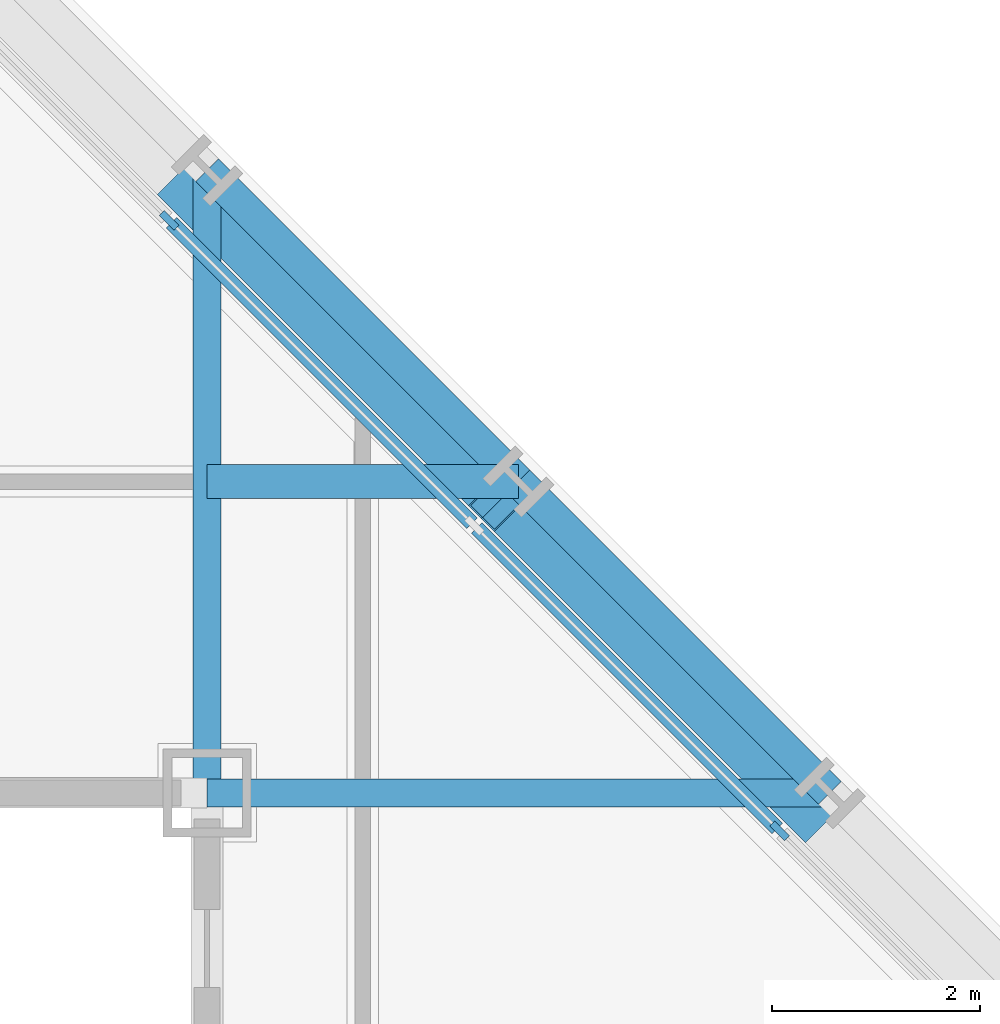
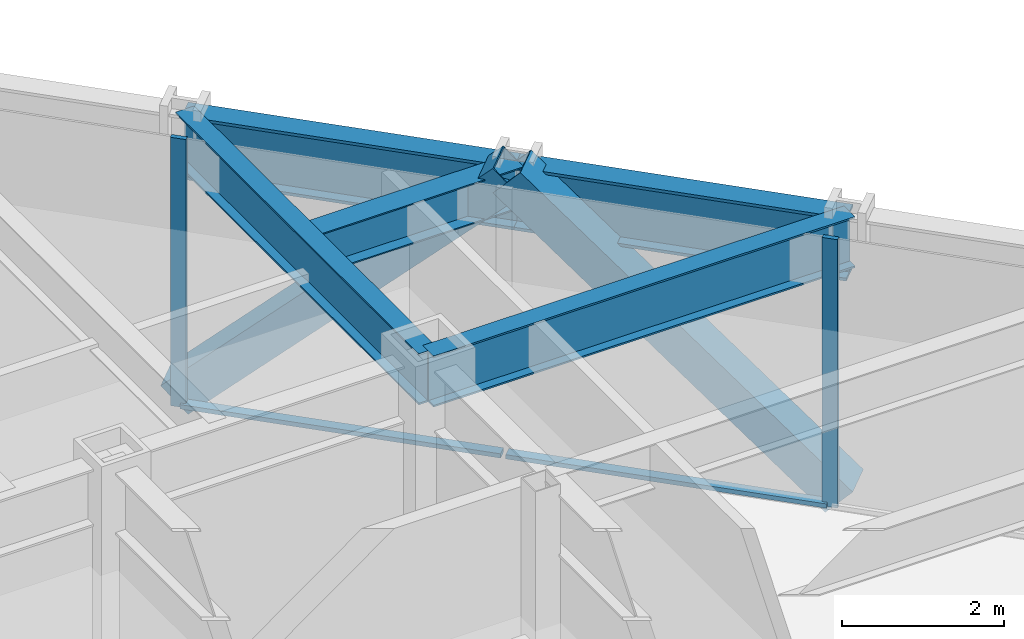
# One storey, part 8 of 16: 6 members, 5 beams, 1 element without a shape of its own.
"""IFC4 building model written with IfcOpenShell, lengths in metres."""

from ifc_helpers import new_model, si_unit, direction, frame, origin, origin_2d, place, context, subcontext, project, spatial, rectangle, hollow_rectangle, i_section, extrude, material, layer, layer_set, material_profile, profile_set, type_object, element, aggregate, save


model = new_model("IFC4")

# Units and contexts
model_context = context("Model", 3, precision=1e-05, world=origin(), true_north=direction((0.0, 1.0)))
body_context = subcontext(model_context, "Body", "Model", "MODEL_VIEW")
ifc_project = project(units=[si_unit("LENGTHUNIT", "METRE"), si_unit("AREAUNIT", "SQUARE_METRE"), si_unit("VOLUMEUNIT", "CUBIC_METRE"), si_unit("PLANEANGLEUNIT", "RADIAN"), si_unit("MASSUNIT", "GRAM", prefix="KILO")], contexts=[model_context])

# Site, building, storey
site_placement = place(None, origin())
site = spatial("IfcSite", under=ifc_project, at=site_placement, CompositionType="ELEMENT")
building_placement = place(site_placement, origin())
building = spatial("IfcBuilding", under=site, at=building_placement, Name="Chuquiago Exchange Tower", CompositionType="ELEMENT")
storey_placement = place(building_placement, frame((0.0, 0.0, 115.199951171875)))
storey = spatial("IfcBuildingStorey", under=building, at=storey_placement, Name="L24", CompositionType="ELEMENT", Elevation=115.199951171875)

# Beam
ifc_material_1 = material(Name="Steel ASTM A992", Category="steel")
ifc_material_profile_1 = material_profile(ifc_material_1, i_section(OverallWidth=0.3251953125, OverallDepth=0.612060546875, WebThickness=0.0126953125, FlangeThickness=0.01904296875, at=origin_2d()), Name="W24X104")
ifc_profile_set_1 = profile_set([ifc_material_profile_1], Name="Steel ASTM A992")
beam_type_1 = type_object("IfcBeamType", Name="B2 W24X104", PredefinedType="BEAM", material=ifc_profile_set_1)
beam_placement = place(storey_placement, frame((33.0, 36.0, 3.73388671875), z_axis=(1.0, 0.0, 0.0), x_axis=(0.0, 1.0, 0.0)))
element("IfcBeam", 1, at=beam_placement, inside=storey, type_object=beam_type_1, Name="FB-L25-corner-33_36-36_36-0", PredefinedType="BEAM", context=body_context, shape_type="SweptSolid", body=[
    extrude(i_section(OverallWidth=0.3251953125, OverallDepth=0.612060546875, WebThickness=0.0126953125, FlangeThickness=0.01904296875, at=origin_2d()), origin(), (0.0, 0.0, 1.0), 3.0),
])

# Curtain wall, members
ifc_material_2 = material(Name="Aluminium curtain wall system", Category="aluminium")
ifc_layer = layer(ifc_material_2, 0.199951171875)
ifc_layer_set = layer_set([ifc_layer], Name="CW3 facet curtain wall")
curtain_wall_type = type_object("IfcCurtainWallType", Name="CW3 facet curtain wall", PredefinedType="NOTDEFINED", material=ifc_layer_set)
curtain_wall_placement = place(storey_placement, origin())
curtain_wall = element("IfcCurtainWall", 2, at=curtain_wall_placement, inside=storey, type_object=curtain_wall_type, Name="CW3 curtain wall L24", PredefinedType="NOTDEFINED")
ifc_material_3 = material(Name="Aluminium mullion, pale anodised", Category="aluminium")
ifc_material_profile_2 = material_profile(ifc_material_3, rectangle(XDim=0.06494140625, YDim=0.199951171875, at=origin_2d()), Name="AL 65x200")
ifc_profile_set_2 = profile_set([ifc_material_profile_2], Name="Aluminium mullion, pale anodised")
member_type_1 = type_object("IfcMemberType", Name="CW3-M mullion 65x200", PredefinedType="MULLION", material=ifc_profile_set_2)
member_1_placement = place(storey_placement, frame((38.51708984375, 32.63427734375, 0.0), z_axis=(0.0, 0.0, 1.0), x_axis=(-0.707106781187, -0.707106781187, 0.0)))
member_1 = element("IfcMember", 3, at=member_1_placement, type_object=member_type_1, Name="CW3 mullion 3", PredefinedType="MULLION", context=body_context, shape_type="SweptSolid", body=[
    extrude(rectangle(XDim=0.06494140625, YDim=0.199951171875, at=origin_2d()), origin(), (0.0, 0.0, 1.0), 4.0400390625),
])
member_2_placement = place(storey_placement, frame((32.63427734375, 38.51708984375, 0.0), z_axis=(0.0, 0.0, 1.0), x_axis=(-0.707106781187, -0.707106781187, 0.0)))
member_2 = element("IfcMember", 4, at=member_2_placement, type_object=member_type_1, Name="CW3 mullion 5", PredefinedType="MULLION", context=body_context, shape_type="SweptSolid", body=[
    extrude(rectangle(XDim=0.06494140625, YDim=0.199951171875, at=origin_2d()), origin(), (0.0, 0.0, 1.0), 4.0400390625),
])
ifc_material_4 = material(Name="Aluminium transom, pale anodised", Category="aluminium")
ifc_material_profile_3 = material_profile(ifc_material_4, rectangle(XDim=0.139892578125, YDim=0.06494140625, at=origin_2d()), Name="AL 140x65")
ifc_profile_set_3 = profile_set([ifc_material_profile_3], Name="Aluminium transom, pale anodised")
member_type_2 = type_object("IfcMemberType", Name="CW3-T transom 65x140", PredefinedType="MULLION", material=ifc_profile_set_3)
member_3_placement = place(storey_placement, frame((38.494140625, 32.6572265625, 0.032470703125), z_axis=(-0.707106781187, 0.707106781187, 0.0), x_axis=(-0.707106781187, -0.707106781187, 0.0)))
member_3 = element("IfcMember", 5, at=member_3_placement, type_object=member_type_2, Name="CW3 transom 3.1", PredefinedType="MULLION", context=body_context, shape_type="SweptSolid", body=[
    extrude(rectangle(XDim=0.139892578125, YDim=0.06494140625, at=origin_2d()), origin(), (0.0, 0.0, 1.0), 4.094970703125),
])
member_4_placement = place(storey_placement, frame((35.552734375, 35.5986328125, 0.032470703125), z_axis=(-0.707106781187, 0.707106781187, 0.0), x_axis=(-0.707106781187, -0.707106781187, 0.0)))
member_4 = element("IfcMember", 6, at=member_4_placement, type_object=member_type_2, Name="CW3 transom 4.1", PredefinedType="MULLION", context=body_context, shape_type="SweptSolid", body=[
    extrude(rectangle(XDim=0.139892578125, YDim=0.06494140625, at=origin_2d()), origin(), (0.0, 0.0, 1.0), 4.094970703125),
])
aggregate(curtain_wall, [member_1, member_2, member_3, member_4])

# Beams
ifc_material_5 = material(Name="Steel ASTM A992", Category="steel")
ifc_material_profile_4 = material_profile(ifc_material_5, i_section(OverallWidth=0.2666015625, OverallDepth=0.76953125, WebThickness=0.015625, FlangeThickness=0.025390625, at=origin_2d()), Name="W30X132")
ifc_profile_set_4 = profile_set([ifc_material_profile_4], Name="Steel ASTM A992")
beam_type_2 = type_object("IfcBeamType", Name="G1 W30X132", PredefinedType="BEAM", material=ifc_profile_set_4)
for number, where, z_axis, x_axis, name in (
    (7, (33.0, 33.0, 3.6552734375), (0.0, 1.0, 0.0), (-1.0, 0.0, 0.0), "FB-L25-girder-33_33-33_39-0"),
    (8, (33.0, 33.0, 3.6552734375), (1.0, 0.0, 0.0), (0.0, 1.0, 0.0), "FB-L25-girder-33_33-39_33-0"),
):
    element("IfcBeam", number, at=place(storey_placement, frame(where, z_axis=z_axis, x_axis=x_axis)), inside=storey, type_object=beam_type_2, Name=name, PredefinedType="BEAM", context=body_context, shape_type="SweptSolid", body=[
        extrude(i_section(OverallWidth=0.2666015625, OverallDepth=0.76953125, WebThickness=0.015625, FlangeThickness=0.025390625, at=origin_2d()), origin(), (0.0, 0.0, 1.0), 6.0),
    ])

# Members
ifc_material_6 = material(Name="Steel ASTM A500 Grade C", Category="steel")
ifc_material_profile_5 = material_profile(ifc_material_6, hollow_rectangle(XDim=0.508056640625, YDim=0.508056640625, WallThickness=0.017822265625, at=origin_2d()), Name="HSS20X20X3/4")
ifc_profile_set_5 = profile_set([ifc_material_profile_5], Name="Steel ASTM A500 Grade C")
member_type_3 = type_object("IfcMemberType", Name="LB1 HSS20X20X3/4", PredefinedType="BRACE", material=ifc_profile_set_5)
for number, where, z_axis, x_axis, name in (
    (9, (38.822509765625, 32.822509765625, 0.0), (-0.512077265487, 0.512077265487, 0.689604051861), (-0.707106781187, -0.707106781187, 0.0), "LB-L24-39_33-36_36"),
    (10, (32.822509765625, 38.822509765625, 0.0), (0.512077265487, -0.512077265487, 0.689604051861), (0.707106781187, 0.707106781187, 0.0), "LB-L24-36_36-33_39"),
):
    element("IfcMember", number, at=place(storey_placement, frame(where, z_axis=z_axis, x_axis=x_axis)), inside=storey, type_object=member_type_3, Name=name, PredefinedType="BRACE", context=body_context, shape_type="SweptSolid", body=[
        extrude(hollow_rectangle(XDim=0.508056640625, YDim=0.508056640625, WallThickness=0.017822265625, at=origin_2d()), origin(), (0.0, 0.0, 1.0), 5.8583984375),
    ])

# Beams
ifc_material_7 = material(Name="Steel ASTM A992", Category="steel")
ifc_material_profile_6 = material_profile(ifc_material_7, i_section(OverallWidth=0.309814453125, OverallDepth=0.949951171875, WebThickness=0.0244140625, FlangeThickness=0.0439453125, at=origin_2d()), Name="W36X256")
ifc_profile_set_6 = profile_set([ifc_material_profile_6], Name="Steel ASTM A992")
beam_type_3 = type_object("IfcBeamType", Name="SP2 W36X256", PredefinedType="SPANDREL", material=ifc_profile_set_6)
for number, where, z_axis, x_axis, name in (
    (11, (39.0, 33.0, 3.56494140625), (-0.707106781187, 0.707106781187, 0.0), (-0.707106781187, -0.707106781187, 0.0), "SPB-L25-39_33-36_36"),
    (12, (36.0, 36.0, 3.56494140625), (-0.707106781187, 0.707106781187, 0.0), (-0.707106781187, -0.707106781187, 0.0), "SPB-L25-36_36-33_39"),
):
    element("IfcBeam", number, at=place(storey_placement, frame(where, z_axis=z_axis, x_axis=x_axis)), inside=storey, type_object=beam_type_3, Name=name, PredefinedType="SPANDREL", context=body_context, shape_type="SweptSolid", body=[
        extrude(i_section(OverallWidth=0.309814453125, OverallDepth=0.949951171875, WebThickness=0.0244140625, FlangeThickness=0.0439453125, at=origin_2d()), origin(), (0.0, 0.0, 1.0), 4.24267578125),
    ])

save(model, "model.ifc")
